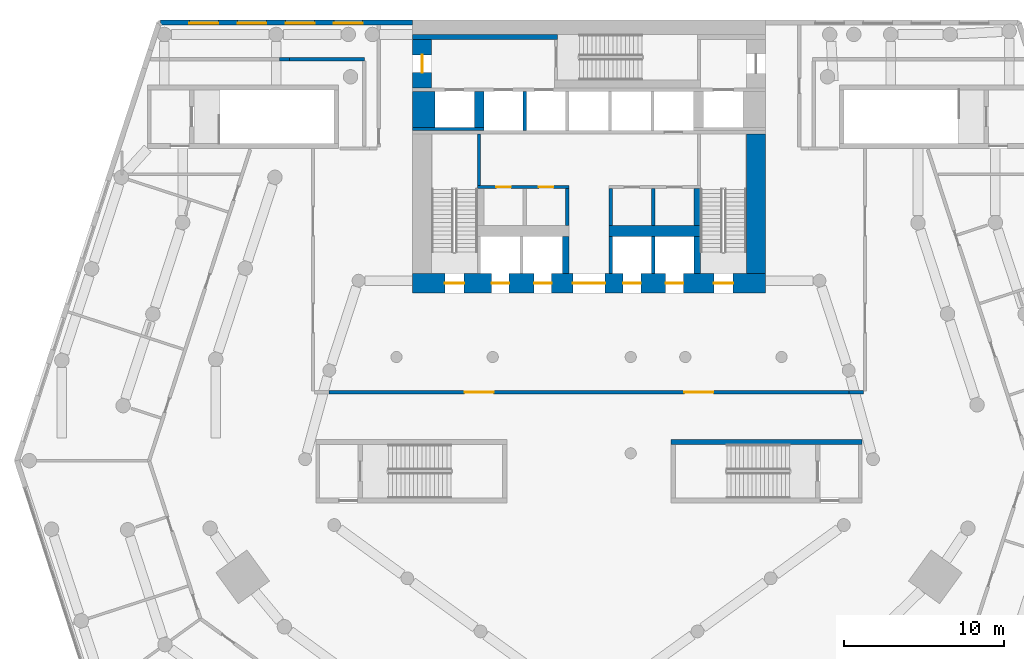
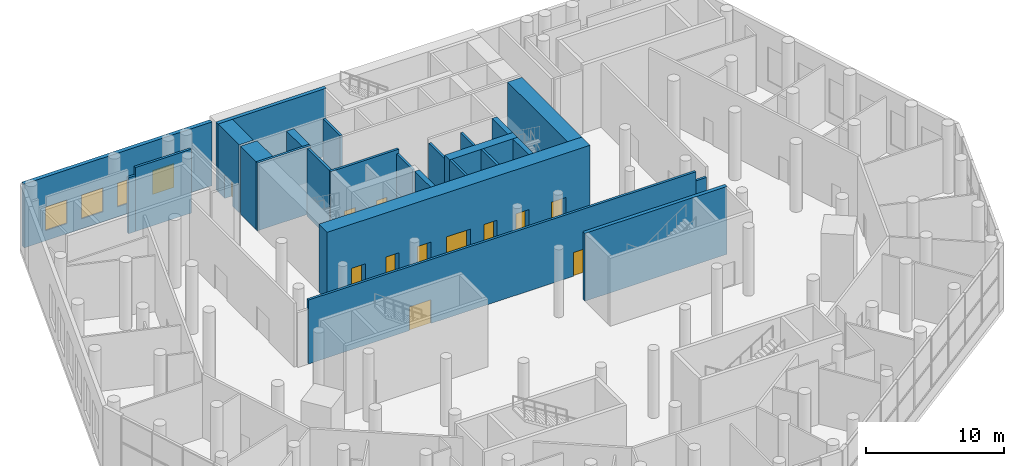
# One storey, part 13 of 19: 25 walls, 12 doors, 4 windows, 16 openings.
"""IFC4 building model written with IfcOpenShell, lengths in metres."""

import ifcopenshell
import ifcopenshell.guid

model = None  # the IFC model being written
_history = None  # IfcOwnerHistory: only IFC2X3 demands one
_inside = {}  # id of a spatial element -> (the spatial element, [elements in it])
_under = {}  # id of a project, library or spatial element -> (it, [spatial elements below it])
_declared = {}  # id of a project -> (the project, [libraries it declares])
_typed = {}  # id of a type object -> (the type object, [elements of that type])
_made_of = {}  # id of a material, layer set ... -> (it, [elements and type objects made of it])


def new_model(schema):
    """Start an empty IFC model of exactly this schema.

    Asked for "IFC4X3", IfcOpenShell would pick the latest addendum, in which some entities
    have other attributes; the version numbers below select the first issue.
    IFC2X3 requires an IfcOwnerHistory on every rooted entity: one is made here for all.
    """
    global model, _history
    if schema == "IFC4X3":
        model = ifcopenshell.file(schema_version=(4, 3, 0, 0))
    else:
        model = ifcopenshell.file(schema=schema)
    _inside.clear()
    _under.clear()
    _declared.clear()
    _typed.clear()
    _made_of.clear()
    _history = None
    if model.schema == "IFC2X3":
        org = make("IfcOrganization", Name="unknown")
        user = make(
            "IfcPersonAndOrganization",
            ThePerson=make("IfcPerson", FamilyName="unknown"),
            TheOrganization=org,
        )
        app = make(
            "IfcApplication",
            ApplicationDeveloper=org,
            Version="unknown",
            ApplicationFullName="unknown",
            ApplicationIdentifier="unknown",
        )
        _history = make(
            "IfcOwnerHistory",
            OwningUser=user,
            OwningApplication=app,
            ChangeAction="ADDED",
            CreationDate=0,
        )
    return model


def make(cls, **values):
    """One entity of the class cls with the attributes given. An attribute that is None is left unset."""
    return model.create_entity(
        cls, **{name: value for name, value in values.items() if value is not None}
    )


def rooted(cls, **values):
    """An entity with a GlobalId (a new one), such as an element, a storey or a relation."""
    return make(cls, GlobalId=ifcopenshell.guid.new(), OwnerHistory=_history, **values)


def si_unit(unit_type, name, prefix=None):
    """IfcSIUnit, for example si_unit("LENGTHUNIT", "METRE", prefix="MILLI")."""
    return make("IfcSIUnit", UnitType=unit_type, Prefix=prefix, Name=name)


def assignment(units):
    """IfcUnitAssignment: the units of a project."""
    return None if units is None else make("IfcUnitAssignment", Units=units)


def point(xyz):
    """IfcCartesianPoint."""
    return None if xyz is None else make("IfcCartesianPoint", Coordinates=xyz)


def direction(xyz):
    """IfcDirection."""
    return None if xyz is None else make("IfcDirection", DirectionRatios=xyz)


def frame(location, z_axis=None, x_axis=None):
    """IfcAxis2Placement3D, a coordinate frame: its origin and axes. An axis left out is left unset."""
    return make(
        "IfcAxis2Placement3D",
        Location=point(location),
        Axis=direction(z_axis),
        RefDirection=direction(x_axis),
    )


def frame_2d(location, x_axis=None):
    """IfcAxis2Placement2D, a coordinate frame in the plane: its origin and x axis."""
    return make(
        "IfcAxis2Placement2D", Location=point(location), RefDirection=direction(x_axis)
    )


def origin():
    """The frame at (0, 0, 0) with its axes left unset."""
    return frame((0.0, 0.0, 0.0))


def place(relative_to, where):
    """IfcLocalPlacement: puts the frame where relative to a parent placement (None: the world)."""
    return make(
        "IfcLocalPlacement", PlacementRelTo=relative_to, RelativePlacement=where
    )


def context(
    kind, dimensions, precision=None, world=None, true_north=None, identifier=None
):
    """IfcGeometricRepresentationContext, for example the 3D "Model" context."""
    return make(
        "IfcGeometricRepresentationContext",
        ContextIdentifier=identifier,
        ContextType=kind,
        CoordinateSpaceDimension=dimensions,
        Precision=precision,
        WorldCoordinateSystem=world,
        TrueNorth=true_north,
    )


def subcontext(parent, identifier, kind, view, scale=None):
    """IfcGeometricRepresentationSubContext, for example "Body" below "Model"."""
    return make(
        "IfcGeometricRepresentationSubContext",
        ContextIdentifier=identifier,
        ContextType=kind,
        ParentContext=parent,
        TargetScale=scale,
        TargetView=view,
    )


def project(units=None, contexts=None):
    """IfcProject with its units and contexts."""
    return rooted(
        "IfcProject",
        Name="project",
        RepresentationContexts=contexts,
        UnitsInContext=assignment(units),
    )


def spatial(cls, under=None, at=None, **own):
    """A site, building, storey or space (cls), placed at a placement, below another one or the project."""
    s = rooted(cls, ObjectPlacement=at, **own)
    if under is not None:
        _under.setdefault(under.id(), (under, []))[1].append(s)
    return s


def profile(cls, at=None, kind="AREA", **sizes):
    """A parametric profile (cls). Its sizes go by their IFC names, for example OverallWidth=200.0."""
    return make(cls, ProfileType=kind, Position=at, **sizes)


def rectangle(**sizes):
    """IfcRectangleProfileDef."""
    return profile("IfcRectangleProfileDef", **sizes)


def extrude(swept, where, along, depth):
    """IfcExtrudedAreaSolid: the profile swept, set in the frame where, extruded along a direction by depth."""
    return make(
        "IfcExtrudedAreaSolid",
        SweptArea=swept,
        Position=where,
        ExtrudedDirection=direction(along),
        Depth=depth,
    )


def shape(context_of_items, identifier, shape_type, items):
    """IfcShapeRepresentation: the items that make up one representation, for example the "Body"."""
    return make(
        "IfcShapeRepresentation",
        ContextOfItems=context_of_items,
        RepresentationIdentifier=identifier,
        RepresentationType=shape_type,
        Items=items,
    )


def material(Name=None, Category=None):
    """IfcMaterial."""
    return make("IfcMaterial", Name=Name, Category=Category)


def layer(
    of_material, thickness, ventilated=None, Name=None, Category=None, Priority=None
):
    """IfcMaterialLayer: one layer of a wall or slab, of a material (None: an air gap)."""
    return make(
        "IfcMaterialLayer",
        Material=of_material,
        LayerThickness=thickness,
        IsVentilated=ventilated,
        Name=Name,
        Category=Category,
        Priority=Priority,
    )


def layer_set(layers, Name=None):
    """IfcMaterialLayerSet."""
    return make("IfcMaterialLayerSet", MaterialLayers=layers, LayerSetName=Name)


def made_of(thing, what):
    """Note that an element or type object is made of a material, layer set ...; save() writes the relation."""
    if what is not None:
        _made_of.setdefault(what.id(), (what, []))[1].append(thing)
    return thing


def type_object(cls, material=None, **own):
    """A type object (cls), such as IfcWallType, which elements share."""
    return made_of(rooted(cls, **own), material)


def element(
    cls,
    number,
    at=None,
    inside=None,
    cuts=None,
    type_object=None,
    material=None,
    context=None,
    identifier="Body",
    shape_type=None,
    held_by="IfcProductDefinitionShape",
    body=None,
    shapes=None,
    **own,
):
    """One element of the class cls, such as IfcWall. Its Tag is "e" and its number.

    at: its placement. inside: the storey or other place that contains it. cuts: it is an
    opening in that element (IfcRelVoidsElement). A single representation is given by context,
    identifier, shape_type and body (its items); several are given by shapes. held_by: the class
    of the entity that holds the representations. save() writes the other relations.
    """
    e = rooted(cls, Tag="e%d" % number, ObjectPlacement=at, **own)
    if body is not None:
        shapes = [shape(context, identifier, shape_type, body)]
    if shapes is not None:
        e.Representation = make(held_by, Representations=shapes)
    if inside is not None:
        _inside.setdefault(inside.id(), (inside, []))[1].append(e)
    if cuts is not None:
        rooted(
            "IfcRelVoidsElement", RelatingBuildingElement=cuts, RelatedOpeningElement=e
        )
    if type_object is not None:
        _typed.setdefault(type_object.id(), (type_object, []))[1].append(e)
    return made_of(e, material)


def fill(opening, filler):
    """IfcRelFillsElement: the door or window that sits in an opening."""
    return rooted(
        "IfcRelFillsElement",
        RelatingOpeningElement=opening,
        RelatedBuildingElement=filler,
    )


def aggregate(whole, parts):
    """IfcRelAggregates: a whole, such as a stair, and the parts it consists of."""
    return rooted("IfcRelAggregates", RelatingObject=whole, RelatedObjects=parts)


def save(model, path):
    """Write the relations noted so far, then the file.

    IfcRelAggregates (storeys below a building ...), IfcRelContainedInSpatialStructure (elements
    in a storey), IfcRelDefinesByType, IfcRelAssociatesMaterial and IfcRelDeclares: one each for
    every whole, place, type object, material and project.
    """
    for whole, parts in _under.values():
        aggregate(whole, parts)
    for where, things in _inside.values():
        rooted(
            "IfcRelContainedInSpatialStructure",
            RelatedElements=things,
            RelatingStructure=where,
        )
    for kind, things in _typed.values():
        rooted("IfcRelDefinesByType", RelatedObjects=things, RelatingType=kind)
    for what, things in _made_of.values():
        rooted("IfcRelAssociatesMaterial", RelatedObjects=things, RelatingMaterial=what)
    for by, libraries in _declared.values():
        rooted("IfcRelDeclares", RelatingContext=by, RelatedDefinitions=libraries)
    model.write(path)


model = new_model("IFC4")

# Units and contexts
model_context = context("Model", 3, precision=1e-05, world=origin(), true_north=direction((0.0, 1.0)))
body_context = subcontext(model_context, "Body", "Model", "MODEL_VIEW")
ifc_project = project(units=[si_unit("LENGTHUNIT", "METRE"), si_unit("AREAUNIT", "SQUARE_METRE"), si_unit("VOLUMEUNIT", "CUBIC_METRE"), si_unit("PLANEANGLEUNIT", "RADIAN"), si_unit("MASSUNIT", "GRAM", prefix="KILO")], contexts=[model_context])

# Site, building, storey
site_placement = place(None, origin())
site = spatial("IfcSite", under=ifc_project, at=site_placement, CompositionType="ELEMENT")
building_placement = place(site_placement, origin())
building = spatial("IfcBuilding", under=site, at=building_placement, Name="White Candle Pilgrim Tower", CompositionType="ELEMENT")
storey_placement = place(building_placement, frame((0.0, 0.0, 23.0)))
storey = spatial("IfcBuildingStorey", under=building, at=storey_placement, Name="L03", CompositionType="ELEMENT", Elevation=23.0)

# Wall
ifc_material_1 = material(Name="Autoclaved aerated block D500, plastered")
ifc_layer_1 = layer(ifc_material_1, 0.199951171875)
ifc_layer_set_1 = layer_set([ifc_layer_1], Name="Compartment wall 200 mm REI 240")
wall_type_1 = type_object("IfcWallType", Name="Compartment wall 200 mm REI 240", PredefinedType="PARTITIONING", material=ifc_layer_set_1)
wall_1_placement = place(storey_placement, frame((87.10009765625, 64.800048828125, 0.0), z_axis=(0.0, 0.0, 1.0), x_axis=(-1.0, 0.0, 0.0)))
element("IfcWall", 1, at=wall_1_placement, inside=storey, type_object=wall_type_1, Name="WL-L03-P034", PredefinedType="PARTITIONING", context=body_context, shape_type="SweptSolid", body=[
    extrude(rectangle(XDim=0.900146484375, YDim=0.199951171875, at=frame_2d((0.4501953125, 0.0))), origin(), (0.0, 0.0, 1.0), 4.85009765625),
])

# Wall, openings, doors
wall_2_placement = place(storey_placement, frame((86.199951171875, 64.800048828125, 0.0), z_axis=(0.0, 0.0, 1.0), x_axis=(-1.0, 0.0, 0.0)))
wall_2 = element("IfcWall", 2, at=wall_2_placement, inside=storey, type_object=wall_type_1, Name="WL-L03-P034a", PredefinedType="PARTITIONING", context=body_context, shape_type="SweptSolid", body=[
    extrude(rectangle(XDim=32.39990234375, YDim=0.199951171875, at=frame_2d((16.199951171875, 0.0))), origin(), (0.0, 0.0, 1.0), 5.64990234375),
])
opening_1_placement = place(wall_2_placement, frame((8.449951171875, 0.0, 0.0)))
opening_1 = element("IfcOpeningElement", 3, at=opening_1_placement, cuts=wall_2, Name="Opening L03-122", PredefinedType="OPENING", context=body_context, shape_type="SweptSolid", body=[
    extrude(rectangle(XDim=1.800048828125, YDim=2.10009765625, at=frame_2d((0.89990234375, 1.050048828125))), frame((0.0, 0.10986328125, 0.0), z_axis=(0.0, -1.0, 0.0), x_axis=(1.0, 0.0, 0.0)), (0.0, 0.0, 1.0), 0.219970703125),
])
opening_2_placement = place(wall_2_placement, frame((22.14990234375, 0.0, 0.0)))
opening_2 = element("IfcOpeningElement", 4, at=opening_2_placement, cuts=wall_2, Name="Opening L03-123", PredefinedType="OPENING", context=body_context, shape_type="SweptSolid", body=[
    extrude(rectangle(XDim=1.800048828125, YDim=2.10009765625, at=frame_2d((0.89990234375, 1.050048828125))), frame((0.0, 0.10986328125, 0.0), z_axis=(0.0, -1.0, 0.0), x_axis=(1.0, 0.0, 0.0)), (0.0, 0.0, 1.0), 0.219970703125),
])
ifc_material_2 = material(Name="Steel door leaf", Category="steel")
door_type_1 = type_object("IfcDoorType", Name="Compartment door 1800 x 2100 EI 60", OperationType="NOTDEFINED", PredefinedType="DOOR", material=ifc_material_2)
door_1_placement = place(opening_1_placement, origin())
door_1 = element("IfcDoor", 5, at=door_1_placement, inside=storey, type_object=door_type_1, Name="Door L03-122", OperationType="DOUBLE_DOOR_SINGLE_SWING", OverallHeight=2.10009765625, OverallWidth=1.800048828125, PredefinedType="DOOR", context=body_context, shape_type="SweptSolid", body=[
    extrude(rectangle(XDim=1.800048828125, YDim=2.10009765625, at=frame_2d((0.89990234375, 1.050048828125))), frame((0.0, 0.02490234375, 0.0), z_axis=(0.0, -1.0, 0.0), x_axis=(1.0, 0.0, 0.0)), (0.0, 0.0, 1.0), 0.050048828125),
])
fill(opening_1, door_1)
door_2_placement = place(opening_2_placement, origin())
door_2 = element("IfcDoor", 6, at=door_2_placement, inside=storey, type_object=door_type_1, Name="Door L03-123", OperationType="DOUBLE_DOOR_SINGLE_SWING", OverallHeight=2.10009765625, OverallWidth=1.800048828125, PredefinedType="DOOR", context=body_context, shape_type="SweptSolid", body=[
    extrude(rectangle(XDim=1.800048828125, YDim=2.10009765625, at=frame_2d((0.89990234375, 1.050048828125))), frame((0.0, 0.02490234375, 0.0), z_axis=(0.0, -1.0, 0.0), x_axis=(1.0, 0.0, 0.0)), (0.0, 0.0, 1.0), 0.050048828125),
])
fill(opening_2, door_2)

# Walls
wall_3_placement = place(storey_placement, frame((56.0, 85.550048828125, 0.0), z_axis=(0.0, 0.0, 1.0), x_axis=(-1.0, 0.0, 0.0)))
element("IfcWall", 7, at=wall_3_placement, inside=storey, type_object=wall_type_1, Name="WL-L03-P057", PredefinedType="PARTITIONING", context=body_context, shape_type="SweptSolid", body=[
    extrude(rectangle(XDim=4.67431640625, YDim=0.199951171875, at=frame_2d((2.337158203125, 0.0))), origin(), (0.0, 0.0, 1.0), 5.64990234375),
])
wall_4_placement = place(storey_placement, frame((51.32568359375, 85.550048828125, 0.0), z_axis=(0.0, 0.0, 1.0), x_axis=(-1.0, 0.0, 0.0)))
element("IfcWall", 8, at=wall_4_placement, inside=storey, type_object=wall_type_1, Name="WL-L03-P057a", PredefinedType="PARTITIONING", context=body_context, shape_type="SweptSolid", body=[
    extrude(rectangle(XDim=0.5966796875, YDim=0.199951171875, at=frame_2d((0.29833984375, 0.0))), origin(), (0.0, 0.0, 1.0), 4.949951171875),
])

# Wall, opening, door
ifc_material_3 = material(Name="Concrete C70/85", Category="concrete")
ifc_layer_2 = layer(ifc_material_3, 1.199951171875)
ifc_layer_set_2 = layer_set([ifc_layer_2], Name="Core wall 1200 mm Concrete C70/85")
wall_type_2 = type_object("IfcWallType", Name="Core wall 1200 mm Concrete C70/85", PredefinedType="SHEAR", material=ifc_layer_set_2)
wall_5_placement = place(storey_placement, frame((59.60009765625, 83.75, 0.0), z_axis=(0.0, 0.0, 1.0), x_axis=(0.0, 1.0, 0.0)))
wall_5 = element("IfcWall", 9, at=wall_5_placement, inside=storey, type_object=wall_type_2, Name="WL-L03-C64", PredefinedType="SHEAR", context=body_context, shape_type="SweptSolid", body=[
    extrude(rectangle(XDim=3.050048828125, YDim=1.199951171875, at=frame_2d((1.52490234375, 0.0))), origin(), (0.0, 0.0, 1.0), 6.0),
])
opening_3_placement = place(wall_5_placement, frame((0.97509765625, 0.0, 0.0)))
opening_3 = element("IfcOpeningElement", 10, at=opening_3_placement, cuts=wall_5, Name="Opening L03-005", PredefinedType="OPENING", context=body_context, shape_type="SweptSolid", body=[
    extrude(rectangle(XDim=1.10009765625, YDim=2.10009765625, at=frame_2d((0.550048828125, 1.050048828125))), frame((0.0, 0.60986328125, 0.0), z_axis=(0.0, -1.0, 0.0), x_axis=(1.0, 0.0, 0.0)), (0.0, 0.0, 1.0), 1.219970703125),
])
door_type_2 = type_object("IfcDoorType", Name="Fire door 1100 x 2100 EI 60", OperationType="NOTDEFINED", PredefinedType="DOOR", material=ifc_material_2)
door_3_placement = place(opening_3_placement, origin())
door_3 = element("IfcDoor", 11, at=door_3_placement, inside=storey, type_object=door_type_2, Name="Door L03-005", OperationType="SINGLE_SWING_LEFT", OverallHeight=2.10009765625, OverallWidth=1.10009765625, PredefinedType="DOOR", context=body_context, shape_type="SweptSolid", body=[
    extrude(rectangle(XDim=1.10009765625, YDim=2.10009765625, at=frame_2d((0.550048828125, 1.050048828125))), frame((0.0, 0.02490234375, 0.0), z_axis=(0.0, -1.0, 0.0), x_axis=(1.0, 0.0, 0.0)), (0.0, 0.0, 1.0), 0.050048828125),
])
fill(opening_3, door_3)

# Walls
ifc_layer_3 = layer(ifc_material_3, 1.39990234375)
ifc_layer_set_3 = layer_set([ifc_layer_3], Name="Core wall 1400 mm Concrete C70/85")
wall_type_3 = type_object("IfcWallType", Name="Core wall 1400 mm Concrete C70/85", PredefinedType="SHEAR", material=ifc_layer_set_3)
wall_6_placement = place(storey_placement, frame((59.699951171875, 81.300048828125, 0.0), z_axis=(0.0, 0.0, 1.0), x_axis=(0.0, 1.0, 0.0)))
element("IfcWall", 12, at=wall_6_placement, inside=storey, type_object=wall_type_3, Name="WL-L03-C57", PredefinedType="SHEAR", context=body_context, shape_type="SweptSolid", body=[
    extrude(rectangle(XDim=2.25, YDim=1.39990234375, at=frame_2d((1.125, 0.0))), origin(), (0.0, 0.0, 1.0), 6.0),
])
ifc_layer_4 = layer(ifc_material_3, 0.199951171875)
ifc_layer_set_4 = layer_set([ifc_layer_4], Name="Core wall 200 mm Concrete C70/85")
wall_type_4 = type_object("IfcWallType", Name="Core wall 200 mm Concrete C70/85", PredefinedType="SHEAR", material=ifc_layer_set_4)
wall_7_placement = place(storey_placement, frame((59.0, 81.199951171875, 0.0), z_axis=(0.0, 0.0, 1.0), x_axis=(1.0, 0.0, 0.0)))
element("IfcWall", 13, at=wall_7_placement, inside=storey, type_object=wall_type_4, Name="WL-L03-C51", PredefinedType="SHEAR", context=body_context, shape_type="SweptSolid", body=[
    extrude(rectangle(XDim=4.449951171875, YDim=0.199951171875, at=frame_2d((2.22509765625, 0.0))), origin(), (0.0, 0.0, 1.0), 6.0),
])

# Wall, openings, windows
ifc_material_4 = material(Name="Precast concrete C40/50", Category="concrete")
ifc_layer_5 = layer(ifc_material_4, 0.320068359375)
ifc_layer_set_5 = layer_set([ifc_layer_5], Name="Facade wall EW3 precast concrete C40/50 and stone-faced podium wall")
wall_type_5 = type_object("IfcWallType", Name="Facade wall EW3 precast concrete C40/50 and stone-faced podium wall", PredefinedType="SOLIDWALL", material=ifc_layer_set_5)
wall_8_placement = place(storey_placement, frame((59.0, 87.840087890625, 0.0), z_axis=(0.0, 0.0, 1.0), x_axis=(-1.0, 0.0, 0.0)))
wall_8 = element("IfcWall", 14, at=wall_8_placement, inside=storey, type_object=wall_type_5, Name="Facade wall L03 N", PredefinedType="SOLIDWALL", context=body_context, shape_type="SweptSolid", body=[
    extrude(rectangle(XDim=15.69677734375, YDim=0.320068359375, at=frame_2d((7.848388671875, 0.0))), origin(), (0.0, 0.0, 1.0), 5.64990234375),
])
opening_4_placement = place(wall_8_placement, frame((3.10009765625, 0.0, 0.89990234375)))
opening_4 = element("IfcOpeningElement", 15, at=opening_4_placement, cuts=wall_8, Name="Opening W8", PredefinedType="OPENING", context=body_context, shape_type="SweptSolid", body=[
    extrude(rectangle(XDim=1.800048828125, YDim=2.10009765625, at=frame_2d((0.89990234375, 1.050048828125))), frame((0.0, 0.169921875, 0.0), z_axis=(0.0, -1.0, 0.0), x_axis=(1.0, 0.0, 0.0)), (0.0, 0.0, 1.0), 0.340087890625),
])
opening_5_placement = place(wall_8_placement, frame((6.10009765625, 0.0, 0.89990234375)))
opening_5 = element("IfcOpeningElement", 16, at=opening_5_placement, cuts=wall_8, Name="Opening W8", PredefinedType="OPENING", context=body_context, shape_type="SweptSolid", body=[
    extrude(rectangle(XDim=1.800048828125, YDim=2.10009765625, at=frame_2d((0.89990234375, 1.050048828125))), frame((0.0, 0.169921875, 0.0), z_axis=(0.0, -1.0, 0.0), x_axis=(1.0, 0.0, 0.0)), (0.0, 0.0, 1.0), 0.340087890625),
])
opening_6_placement = place(wall_8_placement, frame((9.10009765625, 0.0, 0.89990234375)))
opening_6 = element("IfcOpeningElement", 17, at=opening_6_placement, cuts=wall_8, Name="Opening W8", PredefinedType="OPENING", context=body_context, shape_type="SweptSolid", body=[
    extrude(rectangle(XDim=1.800048828125, YDim=2.10009765625, at=frame_2d((0.89990234375, 1.050048828125))), frame((0.0, 0.169921875, 0.0), z_axis=(0.0, -1.0, 0.0), x_axis=(1.0, 0.0, 0.0)), (0.0, 0.0, 1.0), 0.340087890625),
])
opening_7_placement = place(wall_8_placement, frame((12.10009765625, 0.0, 0.89990234375)))
opening_7 = element("IfcOpeningElement", 18, at=opening_7_placement, cuts=wall_8, Name="Opening W8", PredefinedType="OPENING", context=body_context, shape_type="SweptSolid", body=[
    extrude(rectangle(XDim=1.800048828125, YDim=2.10009765625, at=frame_2d((0.89990234375, 1.050048828125))), frame((0.0, 0.169921875, 0.0), z_axis=(0.0, -1.0, 0.0), x_axis=(1.0, 0.0, 0.0)), (0.0, 0.0, 1.0), 0.340087890625),
])
ifc_material_5 = material(Name="Timber frame with triple glazing", Category="wood")
window_type = type_object("IfcWindowType", Name="Window W8 1800x2100 timber frame triple glazing", PartitioningType="SINGLE_PANEL", PredefinedType="WINDOW", material=ifc_material_5)
window_1_placement = place(opening_4_placement, origin())
window_1 = element("IfcWindow", 19, at=window_1_placement, inside=storey, type_object=window_type, Name="Window W8 L03 N 14", OverallHeight=2.10009765625, OverallWidth=1.800048828125, PartitioningType="SINGLE_PANEL", PredefinedType="WINDOW", context=body_context, shape_type="SweptSolid", body=[
    extrude(rectangle(XDim=1.800048828125, YDim=2.10009765625, at=frame_2d((0.89990234375, 1.050048828125))), frame((0.0, 0.070068359375, 0.0), z_axis=(0.0, -1.0, 0.0), x_axis=(1.0, 0.0, 0.0)), (0.0, 0.0, 1.0), 0.06005859375),
])
fill(opening_4, window_1)
window_2_placement = place(opening_5_placement, origin())
window_2 = element("IfcWindow", 20, at=window_2_placement, inside=storey, type_object=window_type, Name="Window W8 L03 N 15", OverallHeight=2.10009765625, OverallWidth=1.800048828125, PartitioningType="SINGLE_PANEL", PredefinedType="WINDOW", context=body_context, shape_type="SweptSolid", body=[
    extrude(rectangle(XDim=1.800048828125, YDim=2.10009765625, at=frame_2d((0.89990234375, 1.050048828125))), frame((0.0, 0.070068359375, 0.0), z_axis=(0.0, -1.0, 0.0), x_axis=(1.0, 0.0, 0.0)), (0.0, 0.0, 1.0), 0.06005859375),
])
fill(opening_5, window_2)
window_3_placement = place(opening_6_placement, origin())
window_3 = element("IfcWindow", 21, at=window_3_placement, inside=storey, type_object=window_type, Name="Window W8 L03 N 16", OverallHeight=2.10009765625, OverallWidth=1.800048828125, PartitioningType="SINGLE_PANEL", PredefinedType="WINDOW", context=body_context, shape_type="SweptSolid", body=[
    extrude(rectangle(XDim=1.800048828125, YDim=2.10009765625, at=frame_2d((0.89990234375, 1.050048828125))), frame((0.0, 0.070068359375, 0.0), z_axis=(0.0, -1.0, 0.0), x_axis=(1.0, 0.0, 0.0)), (0.0, 0.0, 1.0), 0.06005859375),
])
fill(opening_6, window_3)
window_4_placement = place(opening_7_placement, origin())
window_4 = element("IfcWindow", 22, at=window_4_placement, inside=storey, type_object=window_type, Name="Window W8 L03 N 17", OverallHeight=2.10009765625, OverallWidth=1.800048828125, PartitioningType="SINGLE_PANEL", PredefinedType="WINDOW", context=body_context, shape_type="SweptSolid", body=[
    extrude(rectangle(XDim=1.800048828125, YDim=2.10009765625, at=frame_2d((0.89990234375, 1.050048828125))), frame((0.0, 0.070068359375, 0.0), z_axis=(0.0, -1.0, 0.0), x_axis=(1.0, 0.0, 0.0)), (0.0, 0.0, 1.0), 0.06005859375),
])
fill(opening_7, window_4)

# Walls
ifc_material_6 = material(Name="Gypsum board on steel studs", Category="steel")
ifc_layer_6 = layer(ifc_material_6, 0.199951171875)
ifc_layer_set_6 = layer_set([ifc_layer_6], Name="Lobby wall 200 mm EI 60")
wall_type_6 = type_object("IfcWallType", Name="Lobby wall 200 mm EI 60", PredefinedType="PARTITIONING", material=ifc_layer_set_6)
for number, where, z_axis, x_axis, name in (
    (23, (68.64990234375, 75.199951171875, 0.0), (0.0, 0.0, 1.0), (0.0, 1.0, 0.0), "WL-L03-C34"),
    (24, (71.35009765625, 75.199951171875, 0.0), (0.0, 0.0, 1.0), (0.0, 1.0, 0.0), "WL-L03-C35"),
    (25, (74.0, 75.199951171875, 0.0), (0.0, 0.0, 1.0), (0.0, 1.0, 0.0), "WL-L03-C36"),
):
    element("IfcWall", number, at=place(storey_placement, frame(where, z_axis=z_axis, x_axis=x_axis)), inside=storey, type_object=wall_type_6, Name=name, PredefinedType="PARTITIONING", context=body_context, shape_type="SweptSolid", body=[
        extrude(rectangle(XDim=2.300048828125, YDim=0.199951171875, at=frame_2d((1.14990234375, 0.0))), origin(), (0.0, 0.0, 1.0), 5.64990234375),
    ])
ifc_layer_7 = layer(ifc_material_3, 0.199951171875)
ifc_layer_set_7 = layer_set([ifc_layer_7], Name="Shaft wall 200 mm Concrete C70/85")
wall_type_7 = type_object("IfcWallType", Name="Shaft wall 200 mm Concrete C70/85", PredefinedType="SHEAR", material=ifc_layer_set_7)
for number, where, z_axis, x_axis, name in (
    (26, (71.35009765625, 72.199951171875, 0.0), (0.0, 0.0, 1.0), (0.0, 1.0, 0.0), "WL-L03-C26"),
    (27, (74.0, 72.199951171875, 0.0), (0.0, 0.0, 1.0), (0.0, 1.0, 0.0), "WL-L03-C27"),
):
    element("IfcWall", number, at=place(storey_placement, frame(where, z_axis=z_axis, x_axis=x_axis)), inside=storey, type_object=wall_type_7, Name=name, PredefinedType="SHEAR", context=body_context, shape_type="SweptSolid", body=[
        extrude(rectangle(XDim=2.300048828125, YDim=0.199951171875, at=frame_2d((1.14990234375, 0.0))), origin(), (0.0, 0.0, 1.0), 6.0),
    ])
wall_9_placement = place(storey_placement, frame((66.0, 81.10009765625, 0.0), z_axis=(0.0, 0.0, 1.0), x_axis=(0.0, 1.0, 0.0)))
element("IfcWall", 28, at=wall_9_placement, inside=storey, type_object=wall_type_7, Name="WL-L03-C52", PredefinedType="SHEAR", context=body_context, shape_type="SweptSolid", body=[
    extrude(rectangle(XDim=2.449951171875, YDim=0.199951171875, at=frame_2d((1.22509765625, 0.0))), origin(), (0.0, 0.0, 1.0), 6.0),
])
ifc_layer_8 = layer(ifc_material_3, 0.39990234375)
ifc_layer_set_8 = layer_set([ifc_layer_8], Name="Shaft wall 400 mm Concrete C70/85")
wall_type_8 = type_object("IfcWallType", Name="Shaft wall 400 mm Concrete C70/85", PredefinedType="SHEAR", material=ifc_layer_set_8)
wall_10_placement = place(storey_placement, frame((68.550048828125, 72.199951171875, 0.0), z_axis=(0.0, 0.0, 1.0), x_axis=(0.0, 1.0, 0.0)))
element("IfcWall", 29, at=wall_10_placement, inside=storey, type_object=wall_type_8, Name="WL-L03-C25", PredefinedType="SHEAR", context=body_context, shape_type="SweptSolid", body=[
    extrude(rectangle(XDim=2.300048828125, YDim=0.39990234375, at=frame_2d((1.14990234375, 0.0))), origin(), (0.0, 0.0, 1.0), 6.0),
])
ifc_layer_9 = layer(ifc_material_3, 0.60009765625)
ifc_layer_set_9 = layer_set([ifc_layer_9], Name="Shaft wall 600 mm Concrete C70/85")
wall_type_9 = type_object("IfcWallType", Name="Shaft wall 600 mm Concrete C70/85", PredefinedType="SHEAR", material=ifc_layer_set_9)
wall_11_placement = place(storey_placement, frame((63.14990234375, 81.300048828125, 0.0), z_axis=(0.0, 0.0, 1.0), x_axis=(0.0, 1.0, 0.0)))
element("IfcWall", 30, at=wall_11_placement, inside=storey, type_object=wall_type_9, Name="WL-L03-C58", PredefinedType="SHEAR", context=body_context, shape_type="SweptSolid", body=[
    extrude(rectangle(XDim=2.25, YDim=0.60009765625, at=frame_2d((1.125, 0.0))), origin(), (0.0, 0.0, 1.0), 6.0),
])

# Wall, openings, doors
ifc_layer_10 = layer(ifc_material_3, 1.199951171875)
ifc_layer_set_10 = layer_set([ifc_layer_10], Name="Stair shaft wall 1200 mm Concrete C70/85")
wall_type_10 = type_object("IfcWallType", Name="Stair shaft wall 1200 mm Concrete C70/85", PredefinedType="SHEAR", material=ifc_layer_set_10)
wall_12_placement = place(storey_placement, frame((59.0, 71.60009765625, 0.0), z_axis=(0.0, 0.0, 1.0), x_axis=(1.0, 0.0, 0.0)))
wall_12 = element("IfcWall", 31, at=wall_12_placement, inside=storey, type_object=wall_type_10, Name="WL-L03-C21", PredefinedType="SHEAR", context=body_context, shape_type="SweptSolid", body=[
    extrude(rectangle(XDim=22.0, YDim=1.199951171875, at=frame_2d((11.0, 0.0))), origin(), (0.0, 0.0, 1.0), 6.0),
])
opening_8_placement = place(wall_12_placement, frame((2.02490234375, 0.0, 0.0)))
opening_8 = element("IfcOpeningElement", 32, at=opening_8_placement, cuts=wall_12, Name="Opening L03-001", PredefinedType="OPENING", context=body_context, shape_type="SweptSolid", body=[
    extrude(rectangle(XDim=1.199951171875, YDim=2.10009765625, at=frame_2d((0.60009765625, 1.050048828125))), frame((0.0, 0.60986328125, 0.0), z_axis=(0.0, -1.0, 0.0), x_axis=(1.0, 0.0, 0.0)), (0.0, 0.0, 1.0), 1.219970703125),
])
opening_9_placement = place(wall_12_placement, frame((18.77490234375, 0.0, 0.0)))
opening_9 = element("IfcOpeningElement", 33, at=opening_9_placement, cuts=wall_12, Name="Opening L03-002", PredefinedType="OPENING", context=body_context, shape_type="SweptSolid", body=[
    extrude(rectangle(XDim=1.199951171875, YDim=2.10009765625, at=frame_2d((0.60009765625, 1.050048828125))), frame((0.0, 0.60986328125, 0.0), z_axis=(0.0, -1.0, 0.0), x_axis=(1.0, 0.0, 0.0)), (0.0, 0.0, 1.0), 1.219970703125),
])
opening_10_placement = place(wall_12_placement, frame((10.0, 0.0, 0.0)))
opening_10 = element("IfcOpeningElement", 34, at=opening_10_placement, cuts=wall_12, Name="Opening L03-004", PredefinedType="OPENING", context=body_context, shape_type="SweptSolid", body=[
    extrude(rectangle(XDim=2.0, YDim=2.10009765625, at=frame_2d((1.0, 1.050048828125))), frame((0.0, 0.60986328125, 0.0), z_axis=(0.0, -1.0, 0.0), x_axis=(1.0, 0.0, 0.0)), (0.0, 0.0, 1.0), 1.219970703125),
])
opening_11_placement = place(wall_12_placement, frame((4.925048828125, 0.0, 0.0)))
opening_11 = element("IfcOpeningElement", 35, at=opening_11_placement, cuts=wall_12, Name="Opening L03-022", PredefinedType="OPENING", context=body_context, shape_type="SweptSolid", body=[
    extrude(rectangle(XDim=1.10009765625, YDim=2.10009765625, at=frame_2d((0.550048828125, 1.050048828125))), frame((0.0, 0.60986328125, 0.0), z_axis=(0.0, -1.0, 0.0), x_axis=(1.0, 0.0, 0.0)), (0.0, 0.0, 1.0), 1.219970703125),
])
opening_12_placement = place(wall_12_placement, frame((7.574951171875, 0.0, 0.0)))
opening_12 = element("IfcOpeningElement", 36, at=opening_12_placement, cuts=wall_12, Name="Opening L03-023", PredefinedType="OPENING", context=body_context, shape_type="SweptSolid", body=[
    extrude(rectangle(XDim=1.10009765625, YDim=2.10009765625, at=frame_2d((0.550048828125, 1.050048828125))), frame((0.0, 0.60986328125, 0.0), z_axis=(0.0, -1.0, 0.0), x_axis=(1.0, 0.0, 0.0)), (0.0, 0.0, 1.0), 1.219970703125),
])
opening_13_placement = place(wall_12_placement, frame((13.125, 0.0, 0.0)))
opening_13 = element("IfcOpeningElement", 37, at=opening_13_placement, cuts=wall_12, Name="Opening L03-024", PredefinedType="OPENING", context=body_context, shape_type="SweptSolid", body=[
    extrude(rectangle(XDim=1.10009765625, YDim=2.10009765625, at=frame_2d((0.550048828125, 1.050048828125))), frame((0.0, 0.60986328125, 0.0), z_axis=(0.0, -1.0, 0.0), x_axis=(1.0, 0.0, 0.0)), (0.0, 0.0, 1.0), 1.219970703125),
])
opening_14_placement = place(wall_12_placement, frame((15.77490234375, 0.0, 0.0)))
opening_14 = element("IfcOpeningElement", 38, at=opening_14_placement, cuts=wall_12, Name="Opening L03-025", PredefinedType="OPENING", context=body_context, shape_type="SweptSolid", body=[
    extrude(rectangle(XDim=1.10009765625, YDim=2.10009765625, at=frame_2d((0.550048828125, 1.050048828125))), frame((0.0, 0.60986328125, 0.0), z_axis=(0.0, -1.0, 0.0), x_axis=(1.0, 0.0, 0.0)), (0.0, 0.0, 1.0), 1.219970703125),
])
door_type_3 = type_object("IfcDoorType", Name="Fire door 1200 x 2100 EI 60", OperationType="NOTDEFINED", PredefinedType="DOOR", material=ifc_material_2)
door_4_placement = place(opening_8_placement, frame((1.199951171875, 0.0, 0.0), z_axis=(0.0, 0.0, 1.0), x_axis=(-1.0, 0.0, 0.0)))
door_4 = element("IfcDoor", 39, at=door_4_placement, inside=storey, type_object=door_type_3, Name="Door L03-001", OperationType="SINGLE_SWING_RIGHT", OverallHeight=2.10009765625, OverallWidth=1.199951171875, PredefinedType="DOOR", context=body_context, shape_type="SweptSolid", body=[
    extrude(rectangle(XDim=1.199951171875, YDim=2.10009765625, at=frame_2d((0.60009765625, 1.050048828125))), frame((0.0, 0.02490234375, 0.0), z_axis=(0.0, -1.0, 0.0), x_axis=(1.0, 0.0, 0.0)), (0.0, 0.0, 1.0), 0.050048828125),
])
fill(opening_8, door_4)
door_5_placement = place(opening_9_placement, frame((1.199951171875, 0.0, 0.0), z_axis=(0.0, 0.0, 1.0), x_axis=(-1.0, 0.0, 0.0)))
door_5 = element("IfcDoor", 40, at=door_5_placement, inside=storey, type_object=door_type_3, Name="Door L03-002", OperationType="SINGLE_SWING_LEFT", OverallHeight=2.10009765625, OverallWidth=1.199951171875, PredefinedType="DOOR", context=body_context, shape_type="SweptSolid", body=[
    extrude(rectangle(XDim=1.199951171875, YDim=2.10009765625, at=frame_2d((0.60009765625, 1.050048828125))), frame((0.0, 0.02490234375, 0.0), z_axis=(0.0, -1.0, 0.0), x_axis=(1.0, 0.0, 0.0)), (0.0, 0.0, 1.0), 0.050048828125),
])
fill(opening_9, door_5)
door_type_4 = type_object("IfcDoorType", Name="Fire door 2000 x 2100 EI 60", OperationType="NOTDEFINED", PredefinedType="DOOR", material=ifc_material_2)
door_6_placement = place(opening_10_placement, frame((2.0, 0.0, 0.0), z_axis=(0.0, 0.0, 1.0), x_axis=(-1.0, 0.0, 0.0)))
door_6 = element("IfcDoor", 41, at=door_6_placement, inside=storey, type_object=door_type_4, Name="Door L03-004", OperationType="DOUBLE_DOOR_SINGLE_SWING", OverallHeight=2.10009765625, OverallWidth=2.0, PredefinedType="DOOR", context=body_context, shape_type="SweptSolid", body=[
    extrude(rectangle(XDim=2.0, YDim=2.10009765625, at=frame_2d((1.0, 1.050048828125))), frame((0.0, 0.02490234375, 0.0), z_axis=(0.0, -1.0, 0.0), x_axis=(1.0, 0.0, 0.0)), (0.0, 0.0, 1.0), 0.050048828125),
])
fill(opening_10, door_6)
ifc_material_7 = material(Name="Stainless steel", Category="steel")
door_type_5 = type_object("IfcDoorType", Name="Lift landing door 1100 x 2100 E 60", OperationType="DOUBLE_DOOR_SLIDING", PredefinedType="DOOR", material=ifc_material_7)
door_7_placement = place(opening_11_placement, origin())
door_7 = element("IfcDoor", 42, at=door_7_placement, inside=storey, type_object=door_type_5, Name="Door L03-022", OperationType="DOUBLE_DOOR_SLIDING", OverallHeight=2.10009765625, OverallWidth=1.10009765625, PredefinedType="DOOR", context=body_context, shape_type="SweptSolid", body=[
    extrude(rectangle(XDim=1.10009765625, YDim=2.10009765625, at=frame_2d((0.550048828125, 1.050048828125))), frame((0.0, 0.02490234375, 0.0), z_axis=(0.0, -1.0, 0.0), x_axis=(1.0, 0.0, 0.0)), (0.0, 0.0, 1.0), 0.050048828125),
])
fill(opening_11, door_7)
door_8_placement = place(opening_12_placement, origin())
door_8 = element("IfcDoor", 43, at=door_8_placement, inside=storey, type_object=door_type_5, Name="Door L03-023", OperationType="DOUBLE_DOOR_SLIDING", OverallHeight=2.10009765625, OverallWidth=1.10009765625, PredefinedType="DOOR", context=body_context, shape_type="SweptSolid", body=[
    extrude(rectangle(XDim=1.10009765625, YDim=2.10009765625, at=frame_2d((0.550048828125, 1.050048828125))), frame((0.0, 0.02490234375, 0.0), z_axis=(0.0, -1.0, 0.0), x_axis=(1.0, 0.0, 0.0)), (0.0, 0.0, 1.0), 0.050048828125),
])
fill(opening_12, door_8)
door_9_placement = place(opening_13_placement, origin())
door_9 = element("IfcDoor", 44, at=door_9_placement, inside=storey, type_object=door_type_5, Name="Door L03-024", OperationType="DOUBLE_DOOR_SLIDING", OverallHeight=2.10009765625, OverallWidth=1.10009765625, PredefinedType="DOOR", context=body_context, shape_type="SweptSolid", body=[
    extrude(rectangle(XDim=1.10009765625, YDim=2.10009765625, at=frame_2d((0.550048828125, 1.050048828125))), frame((0.0, 0.02490234375, 0.0), z_axis=(0.0, -1.0, 0.0), x_axis=(1.0, 0.0, 0.0)), (0.0, 0.0, 1.0), 0.050048828125),
])
fill(opening_13, door_9)
door_10_placement = place(opening_14_placement, origin())
door_10 = element("IfcDoor", 45, at=door_10_placement, inside=storey, type_object=door_type_5, Name="Door L03-025", OperationType="DOUBLE_DOOR_SLIDING", OverallHeight=2.10009765625, OverallWidth=1.10009765625, PredefinedType="DOOR", context=body_context, shape_type="SweptSolid", body=[
    extrude(rectangle(XDim=1.10009765625, YDim=2.10009765625, at=frame_2d((0.550048828125, 1.050048828125))), frame((0.0, 0.02490234375, 0.0), z_axis=(0.0, -1.0, 0.0), x_axis=(1.0, 0.0, 0.0)), (0.0, 0.0, 1.0), 0.050048828125),
])
fill(opening_14, door_10)

# Wall
wall_13_placement = place(storey_placement, frame((80.39990234375, 72.199951171875, 0.0), z_axis=(0.0, 0.0, 1.0), x_axis=(0.0, 1.0, 0.0)))
element("IfcWall", 46, at=wall_13_placement, inside=storey, type_object=wall_type_10, Name="WL-L03-C29", PredefinedType="SHEAR", context=body_context, shape_type="SweptSolid", body=[
    extrude(rectangle(XDim=8.699951171875, YDim=1.199951171875, at=frame_2d((4.35009765625, 0.0))), origin(), (0.0, 0.0, 1.0), 6.0),
])

# Wall, openings, doors
ifc_layer_11 = layer(ifc_material_3, 0.199951171875)
ifc_layer_set_11 = layer_set([ifc_layer_11], Name="Stair shaft wall 200 mm Concrete C70/85")
wall_type_11 = type_object("IfcWallType", Name="Stair shaft wall 200 mm Concrete C70/85", PredefinedType="SHEAR", material=ifc_layer_set_11)
wall_14_placement = place(storey_placement, frame((63.050048828125, 77.60009765625, 0.0), z_axis=(0.0, 0.0, 1.0), x_axis=(1.0, 0.0, 0.0)))
wall_14 = element("IfcWall", 47, at=wall_14_placement, inside=storey, type_object=wall_type_11, Name="WL-L03-C38", PredefinedType="SHEAR", context=body_context, shape_type="SweptSolid", body=[
    extrude(rectangle(XDim=5.699951171875, YDim=0.199951171875, at=frame_2d((2.85009765625, 0.0))), origin(), (0.0, 0.0, 1.0), 6.0),
])
opening_15_placement = place(wall_14_placement, frame((1.175048828125, 0.0, 0.0)))
opening_15 = element("IfcOpeningElement", 48, at=opening_15_placement, cuts=wall_14, Name="Opening L03-028", PredefinedType="OPENING", context=body_context, shape_type="SweptSolid", body=[
    extrude(rectangle(XDim=0.89990234375, YDim=2.10009765625, at=frame_2d((0.449951171875, 1.050048828125))), frame((0.0, 0.10986328125, 0.0), z_axis=(0.0, -1.0, 0.0), x_axis=(1.0, 0.0, 0.0)), (0.0, 0.0, 1.0), 0.219970703125),
])
opening_16_placement = place(wall_14_placement, frame((3.824951171875, 0.0, 0.0)))
opening_16 = element("IfcOpeningElement", 49, at=opening_16_placement, cuts=wall_14, Name="Opening L03-029", PredefinedType="OPENING", context=body_context, shape_type="SweptSolid", body=[
    extrude(rectangle(XDim=0.89990234375, YDim=2.10009765625, at=frame_2d((0.449951171875, 1.050048828125))), frame((0.0, 0.10986328125, 0.0), z_axis=(0.0, -1.0, 0.0), x_axis=(1.0, 0.0, 0.0)), (0.0, 0.0, 1.0), 0.219970703125),
])
door_type_6 = type_object("IfcDoorType", Name="Fire door 900 x 2100 EI 30", OperationType="NOTDEFINED", PredefinedType="DOOR", material=ifc_material_2)
door_11_placement = place(opening_15_placement, origin())
door_11 = element("IfcDoor", 50, at=door_11_placement, inside=storey, type_object=door_type_6, Name="Door L03-028", OperationType="SINGLE_SWING_RIGHT", OverallHeight=2.10009765625, OverallWidth=0.89990234375, PredefinedType="DOOR", context=body_context, shape_type="SweptSolid", body=[
    extrude(rectangle(XDim=0.89990234375, YDim=2.10009765625, at=frame_2d((0.449951171875, 1.050048828125))), frame((0.0, 0.02490234375, 0.0), z_axis=(0.0, -1.0, 0.0), x_axis=(1.0, 0.0, 0.0)), (0.0, 0.0, 1.0), 0.050048828125),
])
fill(opening_15, door_11)
door_12_placement = place(opening_16_placement, origin())
door_12 = element("IfcDoor", 51, at=door_12_placement, inside=storey, type_object=door_type_6, Name="Door L03-029", OperationType="SINGLE_SWING_LEFT", OverallHeight=2.10009765625, OverallWidth=0.89990234375, PredefinedType="DOOR", context=body_context, shape_type="SweptSolid", body=[
    extrude(rectangle(XDim=0.89990234375, YDim=2.10009765625, at=frame_2d((0.449951171875, 1.050048828125))), frame((0.0, 0.02490234375, 0.0), z_axis=(0.0, -1.0, 0.0), x_axis=(1.0, 0.0, 0.0)), (0.0, 0.0, 1.0), 0.050048828125),
])
fill(opening_16, door_12)

# Walls
wall_15_placement = place(storey_placement, frame((63.14990234375, 77.699951171875, 0.0), z_axis=(0.0, 0.0, 1.0), x_axis=(0.0, 1.0, 0.0)))
element("IfcWall", 52, at=wall_15_placement, inside=storey, type_object=wall_type_11, Name="WL-L03-C40", PredefinedType="SHEAR", context=body_context, shape_type="SweptSolid", body=[
    extrude(rectangle(XDim=3.199951171875, YDim=0.199951171875, at=frame_2d((1.60009765625, 0.0))), origin(), (0.0, 0.0, 1.0), 6.0),
])
ifc_layer_12 = layer(ifc_material_3, 0.300048828125)
ifc_layer_set_12 = layer_set([ifc_layer_12], Name="Stair shaft wall 300 mm Concrete C70/85")
wall_type_12 = type_object("IfcWallType", Name="Stair shaft wall 300 mm Concrete C70/85", PredefinedType="SHEAR", material=ifc_layer_set_12)
wall_16_placement = place(storey_placement, frame((75.10009765625, 61.699951171875, 0.0), z_axis=(0.0, 0.0, 1.0), x_axis=(1.0, 0.0, 0.0)))
element("IfcWall", 53, at=wall_16_placement, inside=storey, type_object=wall_type_12, Name="WL-L03-C20", PredefinedType="SHEAR", context=body_context, shape_type="SweptSolid", body=[
    extrude(rectangle(XDim=11.89990234375, YDim=0.300048828125, at=frame_2d((5.949951171875, 0.0))), origin(), (0.0, 0.0, 1.0), 6.0),
])
wall_17_placement = place(storey_placement, frame((59.0, 86.949951171875, 0.0), z_axis=(0.0, 0.0, 1.0), x_axis=(1.0, 0.0, 0.0)))
element("IfcWall", 54, at=wall_17_placement, inside=storey, type_object=wall_type_12, Name="WL-L03-C69", PredefinedType="SHEAR", context=body_context, shape_type="SweptSolid", body=[
    extrude(rectangle(XDim=9.050048828125, YDim=0.300048828125, at=frame_2d((4.52490234375, 0.0))), origin(), (0.0, 0.0, 1.0), 6.0),
])
ifc_layer_13 = layer(ifc_material_3, 0.39990234375)
ifc_layer_set_13 = layer_set([ifc_layer_13], Name="Stair shaft wall 400 mm Concrete C70/85")
wall_type_13 = type_object("IfcWallType", Name="Stair shaft wall 400 mm Concrete C70/85", PredefinedType="SHEAR", material=ifc_layer_set_13)
for number, where, z_axis, x_axis, name in (
    (55, (76.75, 72.199951171875, 0.0), (0.0, 0.0, 1.0), (0.0, 1.0, 0.0), "WL-L03-C28"),
    (56, (76.75, 75.199951171875, 0.0), (0.0, 0.0, 1.0), (0.0, 1.0, 0.0), "WL-L03-C37"),
):
    element("IfcWall", number, at=place(storey_placement, frame(where, z_axis=z_axis, x_axis=x_axis)), inside=storey, type_object=wall_type_13, Name=name, PredefinedType="SHEAR", context=body_context, shape_type="SweptSolid", body=[
        extrude(rectangle(XDim=2.300048828125, YDim=0.39990234375, at=frame_2d((1.14990234375, 0.0))), origin(), (0.0, 0.0, 1.0), 6.0),
    ])
ifc_layer_14 = layer(ifc_material_3, 0.699951171875)
ifc_layer_set_14 = layer_set([ifc_layer_14], Name="Stair shaft wall 700 mm Concrete C70/85")
wall_type_14 = type_object("IfcWallType", Name="Stair shaft wall 700 mm Concrete C70/85", PredefinedType="SHEAR", material=ifc_layer_set_14)
wall_18_placement = place(storey_placement, frame((71.25, 74.85009765625, 0.0), z_axis=(0.0, 0.0, 1.0), x_axis=(1.0, 0.0, 0.0)))
element("IfcWall", 57, at=wall_18_placement, inside=storey, type_object=wall_type_14, Name="WL-L03-C31", PredefinedType="SHEAR", context=body_context, shape_type="SweptSolid", body=[
    extrude(rectangle(XDim=5.699951171875, YDim=0.699951171875, at=frame_2d((2.85009765625, 0.0))), origin(), (0.0, 0.0, 1.0), 6.0),
])

save(model, "model.ifc")
